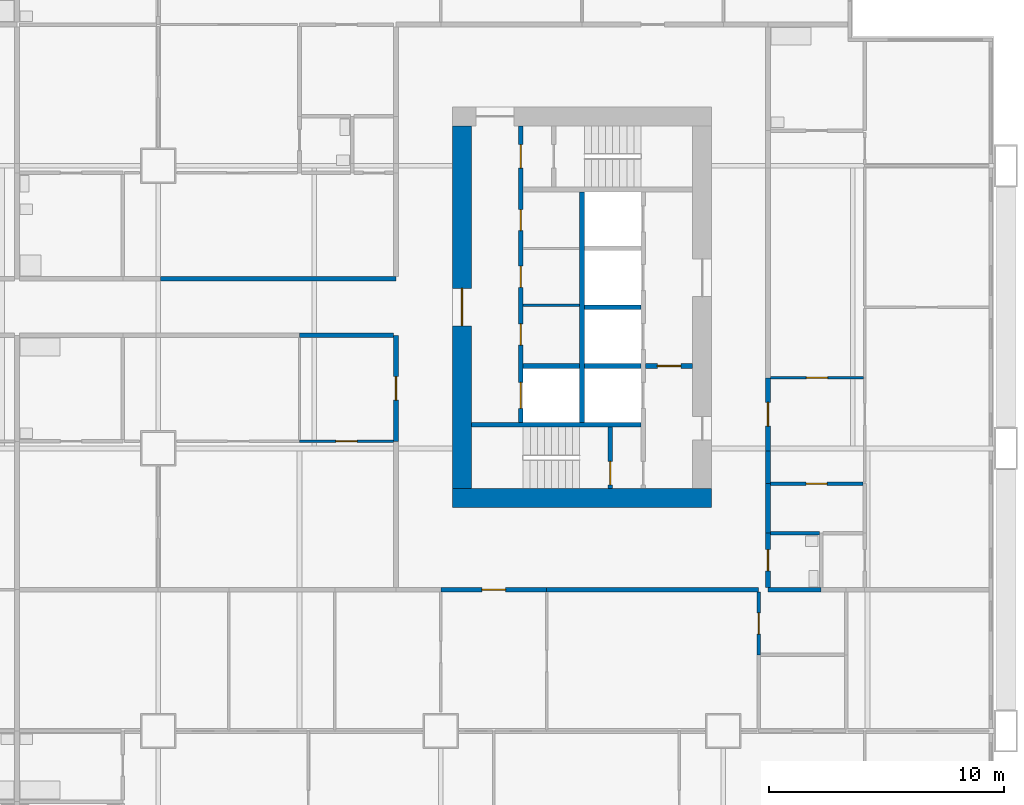
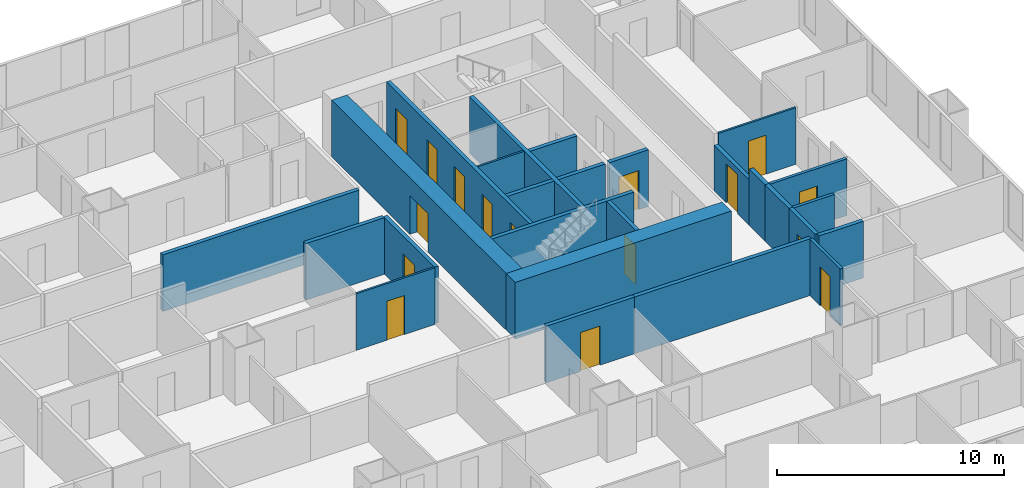
# One storey, part 7 of 14: 26 walls, 16 doors, 16 openings.
"""IFC4 building model written with IfcOpenShell, lengths in metres."""

from ifc_helpers import new_model, si_unit, direction, frame, frame_2d, origin, place, context, subcontext, project, spatial, rectangle, extrude, material, layer, layer_set, type_object, element, fill, save


model = new_model("IFC4")

# Units and contexts
model_context = context("Model", 3, precision=1e-05, world=origin(), true_north=direction((0.0, 1.0)))
body_context = subcontext(model_context, "Body", "Model", "MODEL_VIEW")
ifc_project = project(units=[si_unit("LENGTHUNIT", "METRE"), si_unit("AREAUNIT", "SQUARE_METRE"), si_unit("VOLUMEUNIT", "CUBIC_METRE"), si_unit("PLANEANGLEUNIT", "RADIAN"), si_unit("MASSUNIT", "GRAM", prefix="KILO")], contexts=[model_context])

# Site, building, storey
site_placement = place(None, origin())
site = spatial("IfcSite", under=ifc_project, at=site_placement, CompositionType="ELEMENT")
building_placement = place(site_placement, origin())
building = spatial("IfcBuilding", under=site, at=building_placement, Name="Kitamizu Gate Tower and Museum", CompositionType="ELEMENT")
storey_placement = place(building_placement, frame((0.0, 0.0, 43.800048828125)))
storey = spatial("IfcBuildingStorey", under=building, at=storey_placement, Name="L09", CompositionType="ELEMENT", Elevation=43.800048828125)

# Wall
ifc_material_1 = material(Name="Concrete Fc60", Category="concrete")
ifc_layer_1 = layer(ifc_material_1, 0.800048828125)
ifc_layer_set_1 = layer_set([ifc_layer_1], Name="Concrete Fc60")
wall_type_1 = type_object("IfcWallType", Name="Core wall 800", PredefinedType="SHEAR", material=ifc_layer_set_1)
wall_1_placement = place(storey_placement, frame((59.5, 21.89990234375, 0.0), z_axis=(0.0, 0.0, 1.0), x_axis=(-1.0, 0.0, 0.0)))
element("IfcWall", 1, at=wall_1_placement, inside=storey, type_object=wall_type_1, Name="Core wall ES", PredefinedType="SHEAR", context=body_context, shape_type="SweptSolid", body=[
    extrude(rectangle(XDim=11.0, YDim=0.800048828125, at=frame_2d((5.5, 0.0))), origin(), (0.0, 0.0, 1.0), 3.050048828125),
])

# Wall, opening, door
wall_2_placement = place(storey_placement, frame((48.89990234375, 22.300048828125, 0.0), z_axis=(0.0, 0.0, 1.0), x_axis=(0.0, 1.0, 0.0)))
wall_2 = element("IfcWall", 2, at=wall_2_placement, inside=storey, type_object=wall_type_1, Name="Core wall EARC", PredefinedType="SHEAR", context=body_context, shape_type="SweptSolid", body=[
    extrude(rectangle(XDim=15.39990234375, YDim=0.800048828125, at=frame_2d((7.699951171875, 0.0))), origin(), (0.0, 0.0, 1.0), 3.050048828125),
])
opening_1_placement = place(wall_2_placement, frame((6.89990234375, 0.0, 0.0)))
opening_1 = element("IfcOpeningElement", 3, at=opening_1_placement, cuts=wall_2, Name="Opening L09-099", PredefinedType="OPENING", context=body_context, shape_type="SweptSolid", body=[
    extrude(rectangle(XDim=1.60009765625, YDim=2.10009765625, at=frame_2d((0.800048828125, 1.050048828125))), frame((0.0, 0.41015625, 0.0), z_axis=(0.0, -1.0, 0.0), x_axis=(1.0, 0.0, 0.0)), (0.0, 0.0, 1.0), 0.820068359375),
])
ifc_material_2 = material(Name="Timber door set", Category="wood")
door_type_1 = type_object("IfcDoorType", Name="Entrance door 1600", OperationType="DOUBLE_DOOR_SINGLE_SWING", PredefinedType="DOOR", material=ifc_material_2)
door_1_placement = place(opening_1_placement, origin())
door_1 = element("IfcDoor", 4, at=door_1_placement, inside=storey, type_object=door_type_1, Name="Lobby door L09-099", OperationType="DOUBLE_DOOR_SINGLE_SWING", OverallHeight=2.10009765625, OverallWidth=1.60009765625, PredefinedType="DOOR", context=body_context, shape_type="SweptSolid", body=[
    extrude(rectangle(XDim=1.60009765625, YDim=2.10009765625, at=frame_2d((0.800048828125, 1.050048828125))), frame((0.0, 0.02490234375, 0.0), z_axis=(0.0, -1.0, 0.0), x_axis=(1.0, 0.0, 0.0)), (0.0, 0.0, 1.0), 0.050048828125),
])
fill(opening_1, door_1)

# Wall
ifc_material_3 = material(Name="Gypsum board on galvanised stud")
ifc_layer_2 = layer(ifc_material_3, 0.10009765625)
ifc_layer_set_2 = layer_set([ifc_layer_2], Name="Gypsum board on galvanised stud")
wall_type_2 = type_object("IfcWallType", Name="Partition 100", PredefinedType="PARTITIONING", material=ifc_layer_set_2)
wall_3_placement = place(storey_placement, frame((53.89990234375, 30.08203125, 0.0), z_axis=(0.0, 0.0, 1.0), x_axis=(-1.0, 0.0, 0.0)))
element("IfcWall", 5, at=wall_3_placement, inside=storey, type_object=wall_type_2, Name="Partition EPF1", PredefinedType="PARTITIONING", context=body_context, shape_type="SweptSolid", body=[
    extrude(rectangle(XDim=2.39990234375, YDim=0.10009765625, at=frame_2d((1.199951171875, 0.0))), origin(), (0.0, 0.0, 1.0), 3.050048828125),
])

# Wall, opening, door
ifc_material_4 = material(Name="Gypsum board on galvanised stud")
ifc_layer_3 = layer(ifc_material_4, 0.10009765625)
ifc_layer_set_3 = layer_set([ifc_layer_3], Name="Gypsum board on galvanised stud")
wall_type_3 = type_object("IfcWallType", Name="Partition 100 NOT RATED", PredefinedType="PARTITIONING", material=ifc_layer_set_3)
wall_4_placement = place(storey_placement, frame((46.0, 24.300048828125, 0.0), z_axis=(0.0, 0.0, 1.0), x_axis=(-1.0, 0.0, 0.0)))
wall_4 = element("IfcWall", 6, at=wall_4_placement, inside=storey, type_object=wall_type_3, Name="Partition L09-105", PredefinedType="PARTITIONING", context=body_context, shape_type="SweptSolid", body=[
    extrude(rectangle(XDim=4.0, YDim=0.10009765625, at=frame_2d((2.0, 0.0))), origin(), (0.0, 0.0, 1.0), 3.050048828125),
])
opening_2_placement = place(wall_4_placement, frame((1.550048828125, 0.0, 0.0)))
opening_2 = element("IfcOpeningElement", 7, at=opening_2_placement, cuts=wall_4, Name="Opening L09-038", PredefinedType="OPENING", context=body_context, shape_type="SweptSolid", body=[
    extrude(rectangle(XDim=0.89990234375, YDim=2.10009765625, at=frame_2d((0.449951171875, 1.050048828125))), frame((0.0, 0.06005859375, 0.0), z_axis=(0.0, -1.0, 0.0), x_axis=(1.0, 0.0, 0.0)), (0.0, 0.0, 1.0), 0.1201171875),
])
ifc_material_5 = material(Name="Timber door set", Category="wood")
door_type_2 = type_object("IfcDoorType", Name="Room door 900", OperationType="NOTDEFINED", PredefinedType="DOOR", material=ifc_material_5)
door_2_placement = place(opening_2_placement, origin())
door_2 = element("IfcDoor", 8, at=door_2_placement, inside=storey, type_object=door_type_2, Name="Door L09-038", OperationType="SINGLE_SWING_RIGHT", OverallHeight=2.10009765625, OverallWidth=0.89990234375, PredefinedType="DOOR", context=body_context, shape_type="SweptSolid", body=[
    extrude(rectangle(XDim=0.89990234375, YDim=2.10009765625, at=frame_2d((0.449951171875, 1.050048828125))), frame((0.0, 0.02490234375, 0.0), z_axis=(0.0, -1.0, 0.0), x_axis=(1.0, 0.0, 0.0)), (0.0, 0.0, 1.0), 0.050048828125),
])
fill(opening_2, door_2)

wall_5_placement = place(storey_placement, frame((65.949951171875, 27.0, 0.0), z_axis=(0.0, 0.0, 1.0), x_axis=(-1.0, 0.0, 0.0)))
wall_5 = element("IfcWall", 9, at=wall_5_placement, inside=storey, type_object=wall_type_3, Name="Partition L09-207", PredefinedType="PARTITIONING", context=body_context, shape_type="SweptSolid", body=[
    extrude(rectangle(XDim=3.949951171875, YDim=0.10009765625, at=frame_2d((1.97509765625, 0.0))), origin(), (0.0, 0.0, 1.0), 3.050048828125),
])
opening_3_placement = place(wall_5_placement, frame((1.52490234375, 0.0, 0.0)))
opening_3 = element("IfcOpeningElement", 10, at=opening_3_placement, cuts=wall_5, Name="Opening L09-071", PredefinedType="OPENING", context=body_context, shape_type="SweptSolid", body=[
    extrude(rectangle(XDim=0.89990234375, YDim=2.10009765625, at=frame_2d((0.449951171875, 1.050048828125))), frame((0.0, 0.06005859375, 0.0), z_axis=(0.0, -1.0, 0.0), x_axis=(1.0, 0.0, 0.0)), (0.0, 0.0, 1.0), 0.1201171875),
])
door_3_placement = place(opening_3_placement, origin())
door_3 = element("IfcDoor", 11, at=door_3_placement, inside=storey, type_object=door_type_2, Name="Door L09-071", OperationType="SINGLE_SWING_LEFT", OverallHeight=2.10009765625, OverallWidth=0.89990234375, PredefinedType="DOOR", context=body_context, shape_type="SweptSolid", body=[
    extrude(rectangle(XDim=0.89990234375, YDim=2.10009765625, at=frame_2d((0.449951171875, 1.050048828125))), frame((0.0, 0.02490234375, 0.0), z_axis=(0.0, -1.0, 0.0), x_axis=(1.0, 0.0, 0.0)), (0.0, 0.0, 1.0), 0.050048828125),
])
fill(opening_3, door_3)

ifc_material_6 = material(Name="Gypsum board on galvanised stud")
ifc_layer_4 = layer(ifc_material_6, 0.14990234375)
ifc_layer_set_4 = layer_set([ifc_layer_4], Name="Gypsum board on galvanised stud")
wall_type_4 = type_object("IfcWallType", Name="Partition 150", PredefinedType="PARTITIONING", material=ifc_layer_set_4)
wall_6_placement = place(storey_placement, frame((61.5, 15.22900390625, 0.0), z_axis=(0.0, 0.0, 1.0), x_axis=(0.0, 1.0, 0.0)))
wall_6 = element("IfcWall", 12, at=wall_6_placement, inside=storey, type_object=wall_type_4, Name="Partition L09-092", PredefinedType="PARTITIONING", context=body_context, shape_type="SweptSolid", body=[
    extrude(rectangle(XDim=2.6708984375, YDim=0.14990234375, at=frame_2d((1.33544921875, 0.0))), origin(), (0.0, 0.0, 1.0), 3.050048828125),
])
opening_4_placement = place(wall_6_placement, frame((0.885498046875, 0.0, 0.0)))
opening_4 = element("IfcOpeningElement", 13, at=opening_4_placement, cuts=wall_6, Name="Opening L09-036", PredefinedType="OPENING", context=body_context, shape_type="SweptSolid", body=[
    extrude(rectangle(XDim=0.89990234375, YDim=2.10009765625, at=frame_2d((0.449951171875, 1.050048828125))), frame((0.0, 0.0849609375, 0.0), z_axis=(0.0, -1.0, 0.0), x_axis=(1.0, 0.0, 0.0)), (0.0, 0.0, 1.0), 0.169921875),
])
ifc_material_7 = material(Name="Timber door set", Category="wood")
door_type_3 = type_object("IfcDoorType", Name="Bathroom door 900", OperationType="NOTDEFINED", PredefinedType="DOOR", material=ifc_material_7)
door_4_placement = place(opening_4_placement, frame((0.89990234375, 0.0, 0.0), x_axis=(-1.0, 0.0, 0.0)))
door_4 = element("IfcDoor", 14, at=door_4_placement, inside=storey, type_object=door_type_3, Name="Bathroom door L09-036", OperationType="SINGLE_SWING_LEFT", OverallHeight=2.10009765625, OverallWidth=0.89990234375, PredefinedType="DOOR", context=body_context, shape_type="SweptSolid", body=[
    extrude(rectangle(XDim=0.89990234375, YDim=2.10009765625, at=frame_2d((0.449951171875, 1.050048828125))), frame((0.0, 0.02490234375, 0.0), z_axis=(0.0, -1.0, 0.0), x_axis=(1.0, 0.0, 0.0)), (0.0, 0.0, 1.0), 0.050048828125),
])
fill(opening_4, door_4)

# Wall
wall_7_placement = place(storey_placement, frame((64.074951171875, 20.39990234375, 0.0), z_axis=(0.0, 0.0, 1.0), x_axis=(-1.0, 0.0, 0.0)))
element("IfcWall", 15, at=wall_7_placement, inside=storey, type_object=wall_type_4, Name="Partition L09-202", PredefinedType="PARTITIONING", context=body_context, shape_type="SweptSolid", body=[
    extrude(rectangle(XDim=2.074951171875, YDim=0.14990234375, at=frame_2d((1.03759765625, 0.0))), origin(), (0.0, 0.0, 1.0), 3.050048828125),
])

# Wall, opening, door
wall_8_placement = place(storey_placement, frame((65.925048828125, 22.5, 0.0), z_axis=(0.0, 0.0, 1.0), x_axis=(-1.0, 0.0, 0.0)))
wall_8 = element("IfcWall", 16, at=wall_8_placement, inside=storey, type_object=wall_type_4, Name="Partition L09-205", PredefinedType="PARTITIONING", context=body_context, shape_type="SweptSolid", body=[
    extrude(rectangle(XDim=3.925048828125, YDim=0.14990234375, at=frame_2d((1.96240234375, 0.0))), origin(), (0.0, 0.0, 1.0), 3.050048828125),
])
opening_5_placement = place(wall_8_placement, frame((1.512451171875, 0.0, 0.0)))
opening_5 = element("IfcOpeningElement", 17, at=opening_5_placement, cuts=wall_8, Name="Opening L09-075", PredefinedType="OPENING", context=body_context, shape_type="SweptSolid", body=[
    extrude(rectangle(XDim=0.89990234375, YDim=2.10009765625, at=frame_2d((0.449951171875, 1.050048828125))), frame((0.0, 0.0849609375, 0.0), z_axis=(0.0, -1.0, 0.0), x_axis=(1.0, 0.0, 0.0)), (0.0, 0.0, 1.0), 0.169921875),
])
door_5_placement = place(opening_5_placement, origin())
door_5 = element("IfcDoor", 18, at=door_5_placement, inside=storey, type_object=door_type_3, Name="Bathroom door L09-075", OperationType="SINGLE_SWING_RIGHT", OverallHeight=2.10009765625, OverallWidth=0.89990234375, PredefinedType="DOOR", context=body_context, shape_type="SweptSolid", body=[
    extrude(rectangle(XDim=0.89990234375, YDim=2.10009765625, at=frame_2d((0.449951171875, 1.050048828125))), frame((0.0, 0.02490234375, 0.0), z_axis=(0.0, -1.0, 0.0), x_axis=(1.0, 0.0, 0.0)), (0.0, 0.0, 1.0), 0.050048828125),
])
fill(opening_5, door_5)

ifc_material_8 = material(Name="Gypsum board on galvanised stud")
ifc_layer_5 = layer(ifc_material_8, 0.199951171875)
ifc_layer_set_5 = layer_set([ifc_layer_5], Name="Gypsum board on galvanised stud")
wall_type_5 = type_object("IfcWallType", Name="Partition 200", PredefinedType="PARTITIONING", material=ifc_layer_set_5)
wall_9_placement = place(storey_placement, frame((52.5, 18.0, 0.0), z_axis=(0.0, 0.0, 1.0), x_axis=(-1.0, 0.0, 0.0)))
wall_9 = element("IfcWall", 19, at=wall_9_placement, inside=storey, type_object=wall_type_5, Name="Partition L09-090", PredefinedType="PARTITIONING", context=body_context, shape_type="SweptSolid", body=[
    extrude(rectangle(XDim=4.5, YDim=0.199951171875, at=frame_2d((2.25, 0.0))), origin(), (0.0, 0.0, 1.0), 3.050048828125),
])
opening_6_placement = place(wall_9_placement, frame((1.75, 0.0, 0.0)))
opening_6 = element("IfcOpeningElement", 20, at=opening_6_placement, cuts=wall_9, Name="Opening L09-017", PredefinedType="OPENING", context=body_context, shape_type="SweptSolid", body=[
    extrude(rectangle(XDim=1.0, YDim=2.10009765625, at=frame_2d((0.5, 1.050048828125))), frame((0.0, 0.10986328125, 0.0), z_axis=(0.0, -1.0, 0.0), x_axis=(1.0, 0.0, 0.0)), (0.0, 0.0, 1.0), 0.219970703125),
])
ifc_material_9 = material(Name="Timber door set", Category="wood")
door_type_4 = type_object("IfcDoorType", Name="Flat entrance door 1000", OperationType="NOTDEFINED", PredefinedType="DOOR", material=ifc_material_9)
door_6_placement = place(opening_6_placement, origin())
door_6 = element("IfcDoor", 21, at=door_6_placement, inside=storey, type_object=door_type_4, Name="Flat entrance door L09-017", OperationType="SINGLE_SWING_RIGHT", OverallHeight=2.10009765625, OverallWidth=1.0, PredefinedType="DOOR", context=body_context, shape_type="SweptSolid", body=[
    extrude(rectangle(XDim=1.0, YDim=2.10009765625, at=frame_2d((0.5, 1.050048828125))), frame((0.0, 0.02490234375, 0.0), z_axis=(0.0, -1.0, 0.0), x_axis=(1.0, 0.0, 0.0)), (0.0, 0.0, 1.0), 0.050048828125),
])
fill(opening_6, door_6)

# Walls
wall_10_placement = place(storey_placement, frame((61.5, 18.0, 0.0), z_axis=(0.0, 0.0, 1.0), x_axis=(-1.0, 0.0, 0.0)))
element("IfcWall", 22, at=wall_10_placement, inside=storey, type_object=wall_type_5, Name="Partition L09-093", PredefinedType="PARTITIONING", context=body_context, shape_type="SweptSolid", body=[
    extrude(rectangle(XDim=9.0, YDim=0.199951171875, at=frame_2d((4.5, 0.0))), origin(), (0.0, 0.0, 1.0), 3.050048828125),
])
wall_11_placement = place(storey_placement, frame((64.14990234375, 18.0, 0.0), z_axis=(0.0, 0.0, 1.0), x_axis=(-1.0, 0.0, 0.0)))
element("IfcWall", 23, at=wall_11_placement, inside=storey, type_object=wall_type_5, Name="Partition L09-099", PredefinedType="PARTITIONING", context=body_context, shape_type="SweptSolid", body=[
    extrude(rectangle(XDim=2.25, YDim=0.199951171875, at=frame_2d((1.125, 0.0))), origin(), (0.0, 0.0, 1.0), 3.050048828125),
])

# Wall, opening, door
wall_12_placement = place(storey_placement, frame((46.10009765625, 24.300048828125, 0.0), z_axis=(0.0, 0.0, 1.0), x_axis=(0.0, 1.0, 0.0)))
wall_12 = element("IfcWall", 24, at=wall_12_placement, inside=storey, type_object=wall_type_5, Name="Partition L09-112", PredefinedType="PARTITIONING", context=body_context, shape_type="SweptSolid", body=[
    extrude(rectangle(XDim=4.5, YDim=0.199951171875, at=frame_2d((2.25, 0.0))), origin(), (0.0, 0.0, 1.0), 3.050048828125),
])
opening_7_placement = place(wall_12_placement, frame((1.75, 0.0, 0.0)))
opening_7 = element("IfcOpeningElement", 25, at=opening_7_placement, cuts=wall_12, Name="Opening L09-037", PredefinedType="OPENING", context=body_context, shape_type="SweptSolid", body=[
    extrude(rectangle(XDim=1.0, YDim=2.10009765625, at=frame_2d((0.5, 1.050048828125))), frame((0.0, 0.10986328125, 0.0), z_axis=(0.0, -1.0, 0.0), x_axis=(1.0, 0.0, 0.0)), (0.0, 0.0, 1.0), 0.219970703125),
])
door_7_placement = place(opening_7_placement, origin())
door_7 = element("IfcDoor", 26, at=door_7_placement, inside=storey, type_object=door_type_4, Name="Flat entrance door L09-037", OperationType="SINGLE_SWING_LEFT", OverallHeight=2.10009765625, OverallWidth=1.0, PredefinedType="DOOR", context=body_context, shape_type="SweptSolid", body=[
    extrude(rectangle(XDim=1.0, YDim=2.10009765625, at=frame_2d((0.5, 1.050048828125))), frame((0.0, 0.02490234375, 0.0), z_axis=(0.0, -1.0, 0.0), x_axis=(1.0, 0.0, 0.0)), (0.0, 0.0, 1.0), 0.050048828125),
])
fill(opening_7, door_7)

# Walls
wall_13_placement = place(storey_placement, frame((46.0, 28.800048828125, 0.0), z_axis=(0.0, 0.0, 1.0), x_axis=(-1.0, 0.0, 0.0)))
element("IfcWall", 27, at=wall_13_placement, inside=storey, type_object=wall_type_5, Name="Partition L09-113", PredefinedType="PARTITIONING", context=body_context, shape_type="SweptSolid", body=[
    extrude(rectangle(XDim=4.0, YDim=0.199951171875, at=frame_2d((2.0, 0.0))), origin(), (0.0, 0.0, 1.0), 3.050048828125),
])
wall_14_placement = place(storey_placement, frame((36.10009765625, 31.199951171875, 0.0), z_axis=(0.0, 0.0, 1.0), x_axis=(1.0, 0.0, 0.0)))
element("IfcWall", 28, at=wall_14_placement, inside=storey, type_object=wall_type_5, Name="Partition L09-189", PredefinedType="PARTITIONING", context=body_context, shape_type="SweptSolid", body=[
    extrude(rectangle(XDim=10.0, YDim=0.199951171875, at=frame_2d((5.0, 0.0))), origin(), (0.0, 0.0, 1.0), 3.050048828125),
])

# Wall, opening, door
wall_15_placement = place(storey_placement, frame((61.89990234375, 20.39990234375, 0.0), z_axis=(0.0, 0.0, 1.0), x_axis=(0.0, -1.0, 0.0)))
wall_15 = element("IfcWall", 29, at=wall_15_placement, inside=storey, type_object=wall_type_5, Name="Partition L09-203", PredefinedType="PARTITIONING", context=body_context, shape_type="SweptSolid", body=[
    extrude(rectangle(XDim=2.2998046875, YDim=0.199951171875, at=frame_2d((1.14990234375, 0.0))), origin(), (0.0, 0.0, 1.0), 3.050048828125),
])
opening_8_placement = place(wall_15_placement, frame((0.699951171875, 0.0, 0.0)))
opening_8 = element("IfcOpeningElement", 30, at=opening_8_placement, cuts=wall_15, Name="Opening L09-077", PredefinedType="OPENING", context=body_context, shape_type="SweptSolid", body=[
    extrude(rectangle(XDim=0.89990234375, YDim=2.10009765625, at=frame_2d((0.449951171875, 1.050048828125))), frame((0.0, 0.10986328125, 0.0), z_axis=(0.0, -1.0, 0.0), x_axis=(1.0, 0.0, 0.0)), (0.0, 0.0, 1.0), 0.219970703125),
])
ifc_material_10 = material(Name="Timber door set", Category="wood")
door_type_5 = type_object("IfcDoorType", Name="Store door 900", OperationType="NOTDEFINED", PredefinedType="DOOR", material=ifc_material_10)
door_8_placement = place(opening_8_placement, origin())
door_8 = element("IfcDoor", 31, at=door_8_placement, inside=storey, type_object=door_type_5, Name="Service entrance door L09-077", OperationType="SINGLE_SWING_RIGHT", OverallHeight=2.10009765625, OverallWidth=0.89990234375, PredefinedType="DOOR", context=body_context, shape_type="SweptSolid", body=[
    extrude(rectangle(XDim=0.89990234375, YDim=2.10009765625, at=frame_2d((0.449951171875, 1.050048828125))), frame((0.0, 0.02490234375, 0.0), z_axis=(0.0, -1.0, 0.0), x_axis=(1.0, 0.0, 0.0)), (0.0, 0.0, 1.0), 0.050048828125),
])
fill(opening_8, door_8)

# Wall
wall_16_placement = place(storey_placement, frame((61.89990234375, 22.5, 0.0), z_axis=(0.0, 0.0, 1.0), x_axis=(0.0, -1.0, 0.0)))
element("IfcWall", 32, at=wall_16_placement, inside=storey, type_object=wall_type_5, Name="Partition L09-206", PredefinedType="PARTITIONING", context=body_context, shape_type="SweptSolid", body=[
    extrude(rectangle(XDim=2.10009765625, YDim=0.199951171875, at=frame_2d((1.050048828125, 0.0))), origin(), (0.0, 0.0, 1.0), 3.050048828125),
])

# Wall, opening, door
wall_17_placement = place(storey_placement, frame((61.89990234375, 27.0, 0.0), z_axis=(0.0, 0.0, 1.0), x_axis=(0.0, -1.0, 0.0)))
wall_17 = element("IfcWall", 33, at=wall_17_placement, inside=storey, type_object=wall_type_5, Name="Partition L09-208", PredefinedType="PARTITIONING", context=body_context, shape_type="SweptSolid", body=[
    extrude(rectangle(XDim=3.10009765625, YDim=0.199951171875, at=frame_2d((1.550048828125, 0.0))), origin(), (0.0, 0.0, 1.0), 2.449951171875),
])
opening_9_placement = place(wall_17_placement, frame((1.050048828125, 0.0, 0.0)))
opening_9 = element("IfcOpeningElement", 34, at=opening_9_placement, cuts=wall_17, Name="Opening L09-069", PredefinedType="OPENING", context=body_context, shape_type="SweptSolid", body=[
    extrude(rectangle(XDim=1.0, YDim=2.10009765625, at=frame_2d((0.5, 1.050048828125))), frame((0.0, 0.10986328125, 0.0), z_axis=(0.0, -1.0, 0.0), x_axis=(1.0, 0.0, 0.0)), (0.0, 0.0, 1.0), 0.219970703125),
])
door_9_placement = place(opening_9_placement, origin())
door_9 = element("IfcDoor", 35, at=door_9_placement, inside=storey, type_object=door_type_4, Name="Flat entrance door L09-069", OperationType="SINGLE_SWING_RIGHT", OverallHeight=2.10009765625, OverallWidth=1.0, PredefinedType="DOOR", context=body_context, shape_type="SweptSolid", body=[
    extrude(rectangle(XDim=1.0, YDim=2.10009765625, at=frame_2d((0.5, 1.050048828125))), frame((0.0, 0.02490234375, 0.0), z_axis=(0.0, -1.0, 0.0), x_axis=(1.0, 0.0, 0.0)), (0.0, 0.0, 1.0), 0.050048828125),
])
fill(opening_9, door_9)

# Wall
wall_18_placement = place(storey_placement, frame((61.89990234375, 23.89990234375, 0.0), z_axis=(0.0, 0.0, 1.0), x_axis=(0.0, -1.0, 0.0)))
element("IfcWall", 36, at=wall_18_placement, inside=storey, type_object=wall_type_5, Name="Partition L09-209", PredefinedType="PARTITIONING", context=body_context, shape_type="SweptSolid", body=[
    extrude(rectangle(XDim=1.39990234375, YDim=0.199951171875, at=frame_2d((0.699951171875, 0.0))), origin(), (0.0, 0.0, 1.0), 3.050048828125),
])

# Wall, openings, doors
ifc_material_11 = material(Name="Concrete Fc42", Category="concrete")
ifc_layer_6 = layer(ifc_material_11, 0.199951171875)
ifc_layer_set_6 = layer_set([ifc_layer_6], Name="Concrete Fc42")
wall_type_6 = type_object("IfcWallType", Name="Shaft wall 200", PredefinedType="SOLIDWALL", material=ifc_layer_set_6)
wall_19_placement = place(storey_placement, frame((51.39990234375, 25.10009765625, 0.0), z_axis=(0.0, 0.0, 1.0), x_axis=(0.0, 1.0, 0.0)))
wall_19 = element("IfcWall", 37, at=wall_19_placement, inside=storey, type_object=wall_type_6, Name="Shaft wall EEAST", PredefinedType="SOLIDWALL", context=body_context, shape_type="SweptSolid", body=[
    extrude(rectangle(XDim=12.599853515625, YDim=0.199951171875, at=frame_2d((6.2998046875, 0.0))), origin(), (0.0, 0.0, 1.0), 3.050048828125),
])
opening_10_placement = place(wall_19_placement, frame((0.60009765625, 0.0, 0.0)))
opening_10 = element("IfcOpeningElement", 38, at=opening_10_placement, cuts=wall_19, Name="Opening LD", PredefinedType="OPENING", context=body_context, shape_type="SweptSolid", body=[
    extrude(rectangle(XDim=1.10009765625, YDim=2.10009765625, at=frame_2d((0.550048828125, 1.050048828125))), frame((0.0, 0.10986328125, 0.0), z_axis=(0.0, -1.0, 0.0), x_axis=(1.0, 0.0, 0.0)), (0.0, 0.0, 1.0), 0.219970703125),
])
opening_11_placement = place(wall_19_placement, frame((10.800048828125, 0.0, 0.0)))
opening_11 = element("IfcOpeningElement", 39, at=opening_11_placement, cuts=wall_19, Name="Opening L09-093", PredefinedType="OPENING", context=body_context, shape_type="SweptSolid", body=[
    extrude(rectangle(XDim=1.0, YDim=2.10009765625, at=frame_2d((0.5, 1.050048828125))), frame((0.0, 0.10986328125, 0.0), z_axis=(0.0, -1.0, 0.0), x_axis=(1.0, 0.0, 0.0)), (0.0, 0.0, 1.0), 0.219970703125),
])
opening_12_placement = place(wall_19_placement, frame((3.291015625, 0.0, 0.0)))
opening_12 = element("IfcOpeningElement", 40, at=opening_12_placement, cuts=wall_19, Name="Opening L09-100", PredefinedType="OPENING", context=body_context, shape_type="SweptSolid", body=[
    extrude(rectangle(XDim=0.89990234375, YDim=2.10009765625, at=frame_2d((0.449951171875, 1.050048828125))), frame((0.0, 0.10986328125, 0.0), z_axis=(0.0, -1.0, 0.0), x_axis=(1.0, 0.0, 0.0)), (0.0, 0.0, 1.0), 0.219970703125),
])
opening_13_placement = place(wall_19_placement, frame((5.736572265625, 0.0, 0.0)))
opening_13 = element("IfcOpeningElement", 41, at=opening_13_placement, cuts=wall_19, Name="Opening L09-101", PredefinedType="OPENING", context=body_context, shape_type="SweptSolid", body=[
    extrude(rectangle(XDim=0.89990234375, YDim=2.10009765625, at=frame_2d((0.449951171875, 1.050048828125))), frame((0.0, 0.10986328125, 0.0), z_axis=(0.0, -1.0, 0.0), x_axis=(1.0, 0.0, 0.0)), (0.0, 0.0, 1.0), 0.219970703125),
])
opening_14_placement = place(wall_19_placement, frame((8.1455078125, 0.0, 0.0)))
opening_14 = element("IfcOpeningElement", 42, at=opening_14_placement, cuts=wall_19, Name="Opening L09-102", PredefinedType="OPENING", context=body_context, shape_type="SweptSolid", body=[
    extrude(rectangle(XDim=0.89990234375, YDim=2.10009765625, at=frame_2d((0.449951171875, 1.050048828125))), frame((0.0, 0.10986328125, 0.0), z_axis=(0.0, -1.0, 0.0), x_axis=(1.0, 0.0, 0.0)), (0.0, 0.0, 1.0), 0.219970703125),
])
ifc_material_12 = material(Name="Hollow metal door set")
door_type_6 = type_object("IfcDoorType", Name="Fire door 1000", OperationType="NOTDEFINED", PredefinedType="DOOR", material=ifc_material_12)
door_10_placement = place(opening_11_placement, frame((1.0, 0.0, 0.0), x_axis=(-1.0, 0.0, 0.0)))
door_10 = element("IfcDoor", 43, at=door_10_placement, inside=storey, type_object=door_type_6, Name="Stair lobby door L09-093", OperationType="SINGLE_SWING_RIGHT", OverallHeight=2.10009765625, OverallWidth=1.0, PredefinedType="DOOR", context=body_context, shape_type="SweptSolid", body=[
    extrude(rectangle(XDim=1.0, YDim=2.10009765625, at=frame_2d((0.5, 1.050048828125))), frame((0.0, 0.02490234375, 0.0), z_axis=(0.0, -1.0, 0.0), x_axis=(1.0, 0.0, 0.0)), (0.0, 0.0, 1.0), 0.050048828125),
])
fill(opening_11, door_10)
ifc_material_13 = material(Name="Hollow metal door set")
door_type_7 = type_object("IfcDoorType", Name="Landing door 1100", OperationType="SLIDING_TO_LEFT", PredefinedType="DOOR", material=ifc_material_13)
door_11_placement = place(opening_10_placement, origin())
door_11 = element("IfcDoor", 44, at=door_11_placement, inside=storey, type_object=door_type_7, Name="Landing door ESV1", OperationType="SLIDING_TO_LEFT", OverallHeight=2.10009765625, OverallWidth=1.10009765625, PredefinedType="DOOR", context=body_context, shape_type="SweptSolid", body=[
    extrude(rectangle(XDim=1.10009765625, YDim=2.10009765625, at=frame_2d((0.550048828125, 1.050048828125))), frame((0.0, 0.02490234375, 0.0), z_axis=(0.0, -1.0, 0.0), x_axis=(1.0, 0.0, 0.0)), (0.0, 0.0, 1.0), 0.050048828125),
])
fill(opening_10, door_11)
ifc_material_14 = material(Name="Timber door set", Category="wood")
door_type_8 = type_object("IfcDoorType", Name="Service door 900", OperationType="NOTDEFINED", PredefinedType="DOOR", material=ifc_material_14)
door_12_placement = place(opening_12_placement, frame((0.89990234375, 0.0, 0.0), x_axis=(-1.0, 0.0, 0.0)))
door_12 = element("IfcDoor", 45, at=door_12_placement, inside=storey, type_object=door_type_8, Name="Service door L09-100", OperationType="SINGLE_SWING_RIGHT", OverallHeight=2.10009765625, OverallWidth=0.89990234375, PredefinedType="DOOR", context=body_context, shape_type="SweptSolid", body=[
    extrude(rectangle(XDim=0.89990234375, YDim=2.10009765625, at=frame_2d((0.449951171875, 1.050048828125))), frame((0.0, 0.02490234375, 0.0), z_axis=(0.0, -1.0, 0.0), x_axis=(1.0, 0.0, 0.0)), (0.0, 0.0, 1.0), 0.050048828125),
])
fill(opening_12, door_12)
door_13_placement = place(opening_13_placement, frame((0.89990234375, 0.0, 0.0), x_axis=(-1.0, 0.0, 0.0)))
door_13 = element("IfcDoor", 46, at=door_13_placement, inside=storey, type_object=door_type_8, Name="Service door L09-101", OperationType="SINGLE_SWING_LEFT", OverallHeight=2.10009765625, OverallWidth=0.89990234375, PredefinedType="DOOR", context=body_context, shape_type="SweptSolid", body=[
    extrude(rectangle(XDim=0.89990234375, YDim=2.10009765625, at=frame_2d((0.449951171875, 1.050048828125))), frame((0.0, 0.02490234375, 0.0), z_axis=(0.0, -1.0, 0.0), x_axis=(1.0, 0.0, 0.0)), (0.0, 0.0, 1.0), 0.050048828125),
])
fill(opening_13, door_13)
door_14_placement = place(opening_14_placement, frame((0.89990234375, 0.0, 0.0), x_axis=(-1.0, 0.0, 0.0)))
door_14 = element("IfcDoor", 47, at=door_14_placement, inside=storey, type_object=door_type_8, Name="Service door L09-102", OperationType="SINGLE_SWING_RIGHT", OverallHeight=2.10009765625, OverallWidth=0.89990234375, PredefinedType="DOOR", context=body_context, shape_type="SweptSolid", body=[
    extrude(rectangle(XDim=0.89990234375, YDim=2.10009765625, at=frame_2d((0.449951171875, 1.050048828125))), frame((0.0, 0.02490234375, 0.0), z_axis=(0.0, -1.0, 0.0), x_axis=(1.0, 0.0, 0.0)), (0.0, 0.0, 1.0), 0.050048828125),
])
fill(opening_14, door_14)

# Walls
wall_20_placement = place(storey_placement, frame((54.0, 25.10009765625, 0.0), z_axis=(0.0, 0.0, 1.0), x_axis=(0.0, 1.0, 0.0)))
element("IfcWall", 48, at=wall_20_placement, inside=storey, type_object=wall_type_6, Name="Shaft wall EMID", PredefinedType="SOLIDWALL", context=body_context, shape_type="SweptSolid", body=[
    extrude(rectangle(XDim=9.7998046875, YDim=0.199951171875, at=frame_2d((4.89990234375, 0.0))), origin(), (0.0, 0.0, 1.0), 3.050048828125),
])
wall_21_placement = place(storey_placement, frame((56.5, 25.0, 0.0), z_axis=(0.0, 0.0, 1.0), x_axis=(-1.0, 0.0, 0.0)))
element("IfcWall", 49, at=wall_21_placement, inside=storey, type_object=wall_type_6, Name="Shaft wall ESB", PredefinedType="SOLIDWALL", context=body_context, shape_type="SweptSolid", body=[
    extrude(rectangle(XDim=7.199951171875, YDim=0.199951171875, at=frame_2d((3.60009765625, 0.0))), origin(), (0.0, 0.0, 1.0), 3.050048828125),
])

# Wall, opening, door
wall_22_placement = place(storey_placement, frame((58.699951171875, 27.5, 0.0), z_axis=(0.0, 0.0, 1.0), x_axis=(-1.0, 0.0, 0.0)))
wall_22 = element("IfcWall", 50, at=wall_22_placement, inside=storey, type_object=wall_type_6, Name="Shaft wall EFFN", PredefinedType="SOLIDWALL", context=body_context, shape_type="SweptSolid", body=[
    extrude(rectangle(XDim=2.0, YDim=0.199951171875, at=frame_2d((1.0, 0.0))), origin(), (0.0, 0.0, 1.0), 3.050048828125),
])
opening_15_placement = place(wall_22_placement, frame((0.5, 0.0, 0.0)))
opening_15 = element("IfcOpeningElement", 51, at=opening_15_placement, cuts=wall_22, Name="Opening L09-095", PredefinedType="OPENING", context=body_context, shape_type="SweptSolid", body=[
    extrude(rectangle(XDim=1.0, YDim=2.10009765625, at=frame_2d((0.5, 1.050048828125))), frame((0.0, 0.10986328125, 0.0), z_axis=(0.0, -1.0, 0.0), x_axis=(1.0, 0.0, 0.0)), (0.0, 0.0, 1.0), 0.219970703125),
])
door_15_placement = place(opening_15_placement, origin())
door_15 = element("IfcDoor", 52, at=door_15_placement, inside=storey, type_object=door_type_6, Name="Fire-fighting lobby door L09-095", OperationType="SINGLE_SWING_LEFT", OverallHeight=2.10009765625, OverallWidth=1.0, PredefinedType="DOOR", context=body_context, shape_type="SweptSolid", body=[
    extrude(rectangle(XDim=1.0, YDim=2.10009765625, at=frame_2d((0.5, 1.050048828125))), frame((0.0, 0.02490234375, 0.0), z_axis=(0.0, -1.0, 0.0), x_axis=(1.0, 0.0, 0.0)), (0.0, 0.0, 1.0), 0.050048828125),
])
fill(opening_15, door_15)

wall_23_placement = place(storey_placement, frame((55.199951171875, 22.300048828125, 0.0), z_axis=(0.0, 0.0, 1.0), x_axis=(0.0, 1.0, 0.0)))
wall_23 = element("IfcWall", 53, at=wall_23_placement, inside=storey, type_object=wall_type_6, Name="Shaft wall ESZ", PredefinedType="SOLIDWALL", context=body_context, shape_type="SweptSolid", body=[
    extrude(rectangle(XDim=2.599853515625, YDim=0.199951171875, at=frame_2d((1.2998046875, 0.0))), origin(), (0.0, 0.0, 1.0), 3.050048828125),
])
opening_16_placement = place(wall_23_placement, frame((0.14990234375, 0.0, 0.0)))
opening_16 = element("IfcOpeningElement", 54, at=opening_16_placement, cuts=wall_23, Name="Opening L09-091", PredefinedType="OPENING", context=body_context, shape_type="SweptSolid", body=[
    extrude(rectangle(XDim=1.0, YDim=2.10009765625, at=frame_2d((0.5, 1.050048828125))), frame((0.0, 0.10986328125, 0.0), z_axis=(0.0, -1.0, 0.0), x_axis=(1.0, 0.0, 0.0)), (0.0, 0.0, 1.0), 0.219970703125),
])
door_16_placement = place(opening_16_placement, origin())
door_16 = element("IfcDoor", 55, at=door_16_placement, inside=storey, type_object=door_type_6, Name="Stair door L09-091", OperationType="SINGLE_SWING_RIGHT", OverallHeight=2.10009765625, OverallWidth=1.0, PredefinedType="DOOR", context=body_context, shape_type="SweptSolid", body=[
    extrude(rectangle(XDim=1.0, YDim=2.10009765625, at=frame_2d((0.5, 1.050048828125))), frame((0.0, 0.02490234375, 0.0), z_axis=(0.0, -1.0, 0.0), x_axis=(1.0, 0.0, 0.0)), (0.0, 0.0, 1.0), 0.050048828125),
])
fill(opening_16, door_16)

# Walls
for number, where, z_axis, x_axis, name in (
    (56, (56.5, 27.5, 0.0), (0.0, 0.0, 1.0), (-1.0, 0.0, 0.0), "Shaft wall EDVW0"),
    (57, (56.5, 30.0, 0.0), (0.0, 0.0, 1.0), (-1.0, 0.0, 0.0), "Shaft wall EDVW1"),
    (58, (53.89990234375, 27.5, 0.0), (0.0, 0.0, 1.0), (-1.0, 0.0, 0.0), "Shaft wall EDVE0"),
):
    element("IfcWall", number, at=place(storey_placement, frame(where, z_axis=z_axis, x_axis=x_axis)), inside=storey, type_object=wall_type_6, Name=name, PredefinedType="SOLIDWALL", context=body_context, shape_type="SweptSolid", body=[
        extrude(rectangle(XDim=2.39990234375, YDim=0.199951171875, at=frame_2d((1.199951171875, 0.0))), origin(), (0.0, 0.0, 1.0), 3.050048828125),
    ])

save(model, "model.ifc")
